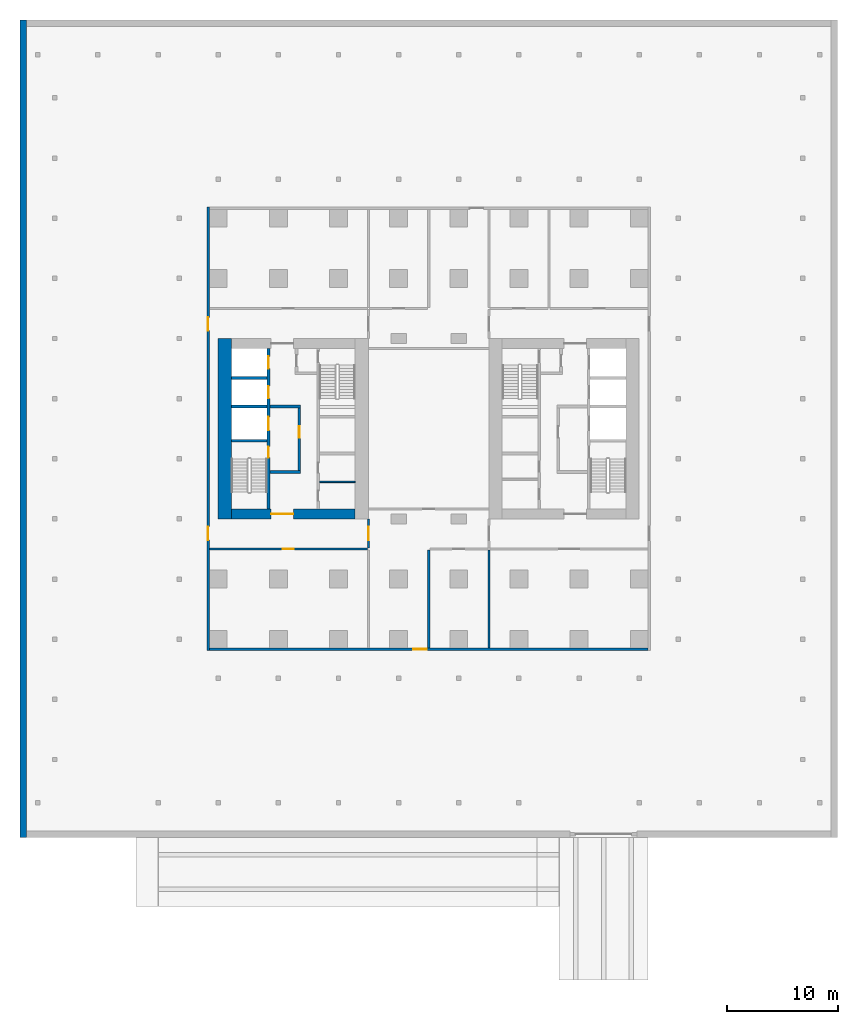
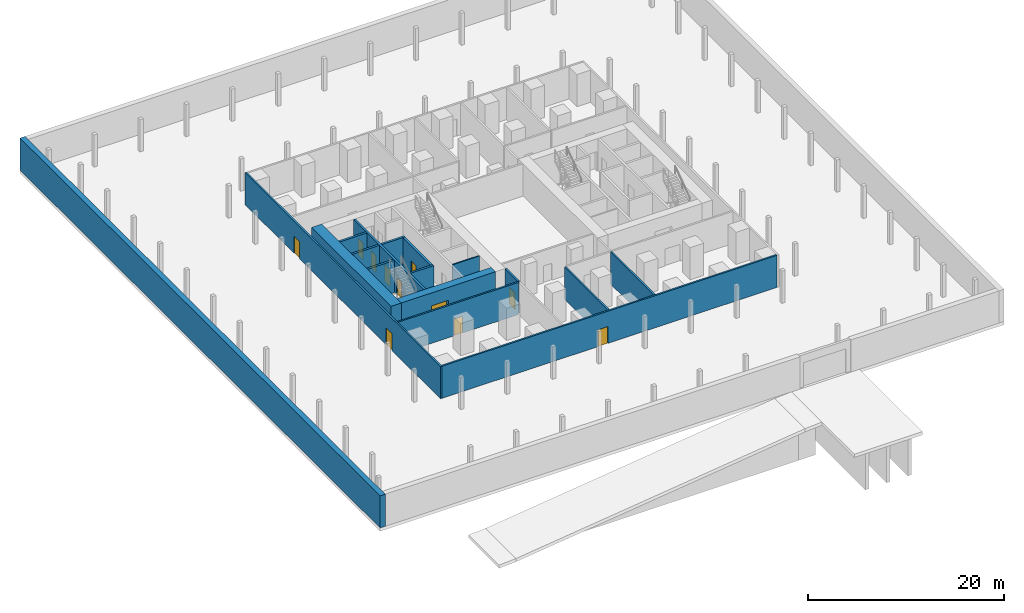
# One storey, part 2 of 6: 17 walls, 11 doors, 11 openings.
"""IFC4 building model written with IfcOpenShell, lengths in metres."""

from ifc_helpers import new_model, si_unit, direction, frame, frame_2d, origin, place, context, subcontext, project, spatial, rectangle, extrude, material, layer, layer_set, type_object, element, fill, save


model = new_model("IFC4")

# Units and contexts
model_context = context("Model", 3, precision=1e-05, world=origin(), true_north=direction((0.0, 1.0)))
body_context = subcontext(model_context, "Body", "Model", "MODEL_VIEW")
ifc_project = project(units=[si_unit("LENGTHUNIT", "METRE"), si_unit("AREAUNIT", "SQUARE_METRE"), si_unit("VOLUMEUNIT", "CUBIC_METRE"), si_unit("PLANEANGLEUNIT", "RADIAN"), si_unit("MASSUNIT", "GRAM", prefix="KILO")], contexts=[model_context])

# Site, building, storey
site_placement = place(None, origin())
site = spatial("IfcSite", under=ifc_project, at=site_placement, CompositionType="ELEMENT")
building_placement = place(site_placement, origin())
building = spatial("IfcBuilding", under=site, at=building_placement, Name="Tabaq Tower and Sports Hall", CompositionType="ELEMENT")
storey_placement = place(building_placement, frame((0.0, 0.0, -4.5)))
storey = spatial("IfcBuildingStorey", under=building, at=storey_placement, Name="B01", CompositionType="ELEMENT", Elevation=-4.5)

# Wall, opening, door
ifc_material_1 = material(Name="Blockwork", Category="masonry")
ifc_layer_1 = layer(ifc_material_1, 0.199951171875)
ifc_layer_set_1 = layer_set([ifc_layer_1], Name="Blockwork Wall 200 EI 120")
wall_type_1 = type_object("IfcWallType", Name="Blockwork Wall 200 EI 120", PredefinedType="PARTITIONING", material=ifc_layer_set_1)
wall_1_placement = place(storey_placement, frame((4.60009765625, 4.5, 0.0), z_axis=(0.0, 0.0, 1.0), x_axis=(1.0, 0.0, 0.0)))
wall_1 = element("IfcWall", 1, at=wall_1_placement, inside=storey, type_object=wall_type_1, Name="Wall B01-01", PredefinedType="PARTITIONING", context=body_context, shape_type="SweptSolid", body=[
    extrude(rectangle(XDim=39.39990234375, YDim=0.199951171875, at=frame_2d((19.699951171875, 0.0))), origin(), (0.0, 0.0, 1.0), 4.0),
])
opening_1_placement = place(wall_1_placement, frame((18.300048828125, 0.0, 0.0)))
opening_1 = element("IfcOpeningElement", 2, at=opening_1_placement, cuts=wall_1, Name="Opening B01-01", PredefinedType="OPENING", context=body_context, shape_type="SweptSolid", body=[
    extrude(rectangle(XDim=1.199951171875, YDim=2.10009765625, at=frame_2d((0.60009765625, 1.050048828125))), frame((0.0, 0.10986328125, 0.0), z_axis=(0.0, -1.0, 0.0), x_axis=(1.0, 0.0, 0.0)), (0.0, 0.0, 1.0), 0.219970703125),
])
ifc_material_2 = material(Name="Hollow metal fire door")
door_type_1 = type_object("IfcDoorType", Name="Basement Door 1200 FD120S", OperationType="SINGLE_SWING_LEFT", PredefinedType="DOOR", material=ifc_material_2)
door_1_placement = place(opening_1_placement, origin())
door_1 = element("IfcDoor", 3, at=door_1_placement, inside=storey, type_object=door_type_1, Name="Door B01-01", OperationType="SINGLE_SWING_LEFT", OverallHeight=2.10009765625, OverallWidth=1.199951171875, PredefinedType="DOOR", context=body_context, shape_type="SweptSolid", body=[
    extrude(rectangle(XDim=1.199951171875, YDim=2.10009765625, at=frame_2d((0.60009765625, 1.050048828125))), frame((0.0, 0.02490234375, 0.0), z_axis=(0.0, -1.0, 0.0), x_axis=(1.0, 0.0, 0.0)), (0.0, 0.0, 1.0), 0.050048828125),
])
fill(opening_1, door_1)

# Wall, openings, doors
wall_2_placement = place(storey_placement, frame((4.5, 4.39990234375, 0.0), z_axis=(0.0, 0.0, 1.0), x_axis=(0.0, 1.0, 0.0)))
wall_2 = element("IfcWall", 4, at=wall_2_placement, inside=storey, type_object=wall_type_1, Name="Wall B01-03", PredefinedType="PARTITIONING", context=body_context, shape_type="SweptSolid", body=[
    extrude(rectangle(XDim=39.800048828125, YDim=0.199951171875, at=frame_2d((19.89990234375, 0.0))), origin(), (0.0, 0.0, 1.0), 4.0),
])
opening_2_placement = place(wall_2_placement, frame((9.89990234375, 0.0, 0.0)))
opening_2 = element("IfcOpeningElement", 5, at=opening_2_placement, cuts=wall_2, Name="Opening B01-03", PredefinedType="OPENING", context=body_context, shape_type="SweptSolid", body=[
    extrude(rectangle(XDim=1.199951171875, YDim=2.10009765625, at=frame_2d((0.60009765625, 1.050048828125))), frame((0.0, 0.10986328125, 0.0), z_axis=(0.0, -1.0, 0.0), x_axis=(1.0, 0.0, 0.0)), (0.0, 0.0, 1.0), 0.219970703125),
])
opening_3_placement = place(wall_2_placement, frame((28.699951171875, 0.0, 0.0)))
opening_3 = element("IfcOpeningElement", 6, at=opening_3_placement, cuts=wall_2, Name="Opening B01-04", PredefinedType="OPENING", context=body_context, shape_type="SweptSolid", body=[
    extrude(rectangle(XDim=1.199951171875, YDim=2.10009765625, at=frame_2d((0.60009765625, 1.050048828125))), frame((0.0, 0.10986328125, 0.0), z_axis=(0.0, -1.0, 0.0), x_axis=(1.0, 0.0, 0.0)), (0.0, 0.0, 1.0), 0.219970703125),
])
door_2_placement = place(opening_2_placement, origin())
door_2 = element("IfcDoor", 7, at=door_2_placement, inside=storey, type_object=door_type_1, Name="Door B01-03", OperationType="SINGLE_SWING_LEFT", OverallHeight=2.10009765625, OverallWidth=1.199951171875, PredefinedType="DOOR", context=body_context, shape_type="SweptSolid", body=[
    extrude(rectangle(XDim=1.199951171875, YDim=2.10009765625, at=frame_2d((0.60009765625, 1.050048828125))), frame((0.0, 0.02490234375, 0.0), z_axis=(0.0, -1.0, 0.0), x_axis=(1.0, 0.0, 0.0)), (0.0, 0.0, 1.0), 0.050048828125),
])
fill(opening_2, door_2)
door_3_placement = place(opening_3_placement, origin())
door_3 = element("IfcDoor", 8, at=door_3_placement, inside=storey, type_object=door_type_1, Name="Door B01-04", OperationType="SINGLE_SWING_LEFT", OverallHeight=2.10009765625, OverallWidth=1.199951171875, PredefinedType="DOOR", context=body_context, shape_type="SweptSolid", body=[
    extrude(rectangle(XDim=1.199951171875, YDim=2.10009765625, at=frame_2d((0.60009765625, 1.050048828125))), frame((0.0, 0.02490234375, 0.0), z_axis=(0.0, -1.0, 0.0), x_axis=(1.0, 0.0, 0.0)), (0.0, 0.0, 1.0), 0.050048828125),
])
fill(opening_3, door_3)

# Walls
ifc_material_3 = material(Name="Blockwork", Category="masonry")
ifc_layer_2 = layer(ifc_material_3, 0.199951171875)
ifc_layer_set_2 = layer_set([ifc_layer_2], Name="Blockwork Wall 200 EI 60")
wall_type_2 = type_object("IfcWallType", Name="Blockwork Wall 200 EI 60", PredefinedType="PARTITIONING", material=ifc_layer_set_2)
for number, where, z_axis, x_axis, name in (
    (9, (24.300048828125, 4.60009765625, 0.0), (0.0, 0.0, 1.0), (0.0, 1.0, 0.0), "Wall B01-06"),
    (10, (29.699951171875, 4.60009765625, 0.0), (0.0, 0.0, 1.0), (0.0, 1.0, 0.0), "Wall B01-07"),
):
    element("IfcWall", number, at=place(storey_placement, frame(where, z_axis=z_axis, x_axis=x_axis)), inside=storey, type_object=wall_type_2, Name=name, PredefinedType="PARTITIONING", context=body_context, shape_type="SweptSolid", body=[
        extrude(rectangle(XDim=8.7998046875, YDim=0.199951171875, at=frame_2d((4.39990234375, 0.0))), origin(), (0.0, 0.0, 1.0), 4.0),
    ])

# Wall, opening, door
wall_3_placement = place(storey_placement, frame((4.60009765625, 13.5, 0.0), z_axis=(0.0, 0.0, 1.0), x_axis=(1.0, 0.0, 0.0)))
wall_3 = element("IfcWall", 11, at=wall_3_placement, inside=storey, type_object=wall_type_2, Name="Wall B01-12", PredefinedType="PARTITIONING", context=body_context, shape_type="SweptSolid", body=[
    extrude(rectangle(XDim=14.199951171875, YDim=0.199951171875, at=frame_2d((7.10009765625, 0.0))), origin(), (0.0, 0.0, 1.0), 4.0),
])
opening_4_placement = place(wall_3_placement, frame((6.60009765625, 0.0, 0.0)))
opening_4 = element("IfcOpeningElement", 12, at=opening_4_placement, cuts=wall_3, Name="Opening B01-07", PredefinedType="OPENING", context=body_context, shape_type="SweptSolid", body=[
    extrude(rectangle(XDim=1.0, YDim=2.10009765625, at=frame_2d((0.5, 1.050048828125))), frame((0.0, 0.10986328125, 0.0), z_axis=(0.0, -1.0, 0.0), x_axis=(1.0, 0.0, 0.0)), (0.0, 0.0, 1.0), 0.219970703125),
])
ifc_material_4 = material(Name="Hollow metal fire door")
door_type_2 = type_object("IfcDoorType", Name="Basement Door 1000 FD60S", OperationType="SINGLE_SWING_LEFT", PredefinedType="DOOR", material=ifc_material_4)
door_4_placement = place(opening_4_placement, origin())
door_4 = element("IfcDoor", 13, at=door_4_placement, inside=storey, type_object=door_type_2, Name="Door B01-07", OperationType="SINGLE_SWING_LEFT", OverallHeight=2.10009765625, OverallWidth=1.0, PredefinedType="DOOR", context=body_context, shape_type="SweptSolid", body=[
    extrude(rectangle(XDim=1.0, YDim=2.10009765625, at=frame_2d((0.5, 1.050048828125))), frame((0.0, 0.02490234375, 0.0), z_axis=(0.0, -1.0, 0.0), x_axis=(1.0, 0.0, 0.0)), (0.0, 0.0, 1.0), 0.050048828125),
])
fill(opening_4, door_4)

wall_4_placement = place(storey_placement, frame((18.89990234375, 13.60009765625, 0.0), z_axis=(0.0, 0.0, 1.0), x_axis=(0.0, 1.0, 0.0)))
wall_4 = element("IfcWall", 14, at=wall_4_placement, inside=storey, type_object=wall_type_2, Name="Wall B01-19", PredefinedType="PARTITIONING", context=body_context, shape_type="SweptSolid", body=[
    extrude(rectangle(XDim=2.599853515625, YDim=0.199951171875, at=frame_2d((1.2998046875, 0.0))), origin(), (0.0, 0.0, 1.0), 4.0),
])
opening_5_placement = place(wall_4_placement, frame((0.699951171875, 0.0, 0.0)))
opening_5 = element("IfcOpeningElement", 15, at=opening_5_placement, cuts=wall_4, Name="Opening B01-14", PredefinedType="OPENING", context=body_context, shape_type="SweptSolid", body=[
    extrude(rectangle(XDim=1.199951171875, YDim=2.10009765625, at=frame_2d((0.60009765625, 1.050048828125))), frame((0.0, 0.10986328125, 0.0), z_axis=(0.0, -1.0, 0.0), x_axis=(1.0, 0.0, 0.0)), (0.0, 0.0, 1.0), 0.219970703125),
])
ifc_material_5 = material(Name="Hollow metal fire door")
door_type_3 = type_object("IfcDoorType", Name="Basement Door 1200 FD60S", OperationType="SINGLE_SWING_LEFT", PredefinedType="DOOR", material=ifc_material_5)
door_5_placement = place(opening_5_placement, origin())
door_5 = element("IfcDoor", 16, at=door_5_placement, inside=storey, type_object=door_type_3, Name="Door B01-14", OperationType="SINGLE_SWING_LEFT", OverallHeight=2.10009765625, OverallWidth=1.199951171875, PredefinedType="DOOR", context=body_context, shape_type="SweptSolid", body=[
    extrude(rectangle(XDim=1.199951171875, YDim=2.10009765625, at=frame_2d((0.60009765625, 1.050048828125))), frame((0.0, 0.02490234375, 0.0), z_axis=(0.0, -1.0, 0.0), x_axis=(1.0, 0.0, 0.0)), (0.0, 0.0, 1.0), 0.050048828125),
])
fill(opening_5, door_5)

# Walls
ifc_material_6 = material(Name="Blockwork", Category="masonry")
ifc_layer_3 = layer(ifc_material_6, 0.14990234375)
ifc_layer_set_3 = layer_set([ifc_layer_3], Name="Core room partition 150 Blockwork")
wall_type_3 = type_object("IfcWallType", Name="Core room partition 150 Blockwork", PredefinedType="PARTITIONING", material=ifc_layer_set_3)
wall_5_placement = place(storey_placement, frame((14.5, 19.52490234375, 0.0), z_axis=(0.0, 0.0, 1.0), x_axis=(1.0, 0.0, 0.0)))
element("IfcWall", 17, at=wall_5_placement, inside=storey, type_object=wall_type_3, Name="Core room partition W B01", PredefinedType="PARTITIONING", context=body_context, shape_type="SweptSolid", body=[
    extrude(rectangle(XDim=3.199951171875, YDim=0.14990234375, at=frame_2d((1.60009765625, 0.0))), origin(), (0.0, 0.0, 1.0), 4.0),
])
ifc_material_7 = material(Name="Concrete C60/75", Category="concrete")
ifc_layer_4 = layer(ifc_material_7, 1.199951171875)
ifc_layer_set_4 = layer_set([ifc_layer_4], Name="Core wall 1200 Concrete C60/75")
wall_type_4 = type_object("IfcWallType", Name="Core wall 1200 Concrete C60/75", PredefinedType="SOLIDWALL", material=ifc_layer_set_4)
wall_6_placement = place(storey_placement, frame((6.0, 16.199951171875, 0.0), z_axis=(0.0, 0.0, 1.0), x_axis=(0.0, 1.0, 0.0)))
element("IfcWall", 18, at=wall_6_placement, inside=storey, type_object=wall_type_4, Name="Core wall W B01", PredefinedType="SOLIDWALL", context=body_context, shape_type="SweptSolid", body=[
    extrude(rectangle(XDim=16.199951171875, YDim=1.199951171875, at=frame_2d((8.10009765625, 0.0))), origin(), (0.0, 0.0, 1.0), 4.0),
])

# Wall, opening, door
ifc_material_8 = material(Name="Concrete C60/75", Category="concrete")
ifc_layer_5 = layer(ifc_material_8, 0.89990234375)
ifc_layer_set_5 = layer_set([ifc_layer_5], Name="Core wall 900 Concrete C60/75")
wall_type_5 = type_object("IfcWallType", Name="Core wall 900 Concrete C60/75", PredefinedType="SOLIDWALL", material=ifc_layer_set_5)
wall_7_placement = place(storey_placement, frame((17.699951171875, 16.64990234375, 0.0), z_axis=(0.0, 0.0, 1.0), x_axis=(-1.0, 0.0, 0.0)))
wall_7 = element("IfcWall", 19, at=wall_7_placement, inside=storey, type_object=wall_type_5, Name="Core wall W B01", PredefinedType="SOLIDWALL", context=body_context, shape_type="SweptSolid", body=[
    extrude(rectangle(XDim=11.099853515625, YDim=0.89990234375, at=frame_2d((5.5498046875, 0.0))), origin(), (0.0, 0.0, 1.0), 4.0),
])
opening_6_placement = place(wall_7_placement, frame((5.550048828125, 0.0, 0.0)))
opening_6 = element("IfcOpeningElement", 20, at=opening_6_placement, cuts=wall_7, Name="Opening PD-WB01-01", PredefinedType="OPENING", context=body_context, shape_type="SweptSolid", body=[
    extrude(rectangle(XDim=2.0, YDim=2.39990234375, at=frame_2d((1.0, 1.199951171875))), frame((0.0, 0.449951171875, 0.0), z_axis=(0.0, -1.0, 0.0), x_axis=(1.0, 0.0, 0.0)), (0.0, 0.0, 1.0), 0.89990234375),
])
ifc_material_9 = material(Name="Steel fire door", Category="steel")
door_type_4 = type_object("IfcDoorType", Name="Core entrance door 2000", OperationType="DOUBLE_DOOR_SINGLE_SWING", PredefinedType="DOOR", material=ifc_material_9)
door_6_placement = place(opening_6_placement, origin())
door_6 = element("IfcDoor", 21, at=door_6_placement, inside=storey, type_object=door_type_4, Name="Core entrance south W B01", OperationType="DOUBLE_DOOR_SINGLE_SWING", OverallHeight=2.39990234375, OverallWidth=2.0, PredefinedType="DOOR", context=body_context, shape_type="SweptSolid", body=[
    extrude(rectangle(XDim=2.0, YDim=2.39990234375, at=frame_2d((1.0, 1.199951171875))), frame((0.0, 0.02490234375, 0.0), z_axis=(0.0, -1.0, 0.0), x_axis=(1.0, 0.0, 0.0)), (0.0, 0.0, 1.0), 0.050048828125),
])
fill(opening_6, door_6)

# Wall
ifc_material_10 = material(Name="Concrete C60/75", Category="concrete")
ifc_layer_6 = layer(ifc_material_10, 0.60009765625)
ifc_layer_set_6 = layer_set([ifc_layer_6], Name="RC RETAINING WALL 600 C60/75")
wall_type_6 = type_object("IfcWallType", Name="RC RETAINING WALL 600 C60/75", PredefinedType="SOLIDWALL", material=ifc_layer_set_6)
wall_8_placement = place(storey_placement, frame((-12.10009765625, -12.39990234375, 0.0), z_axis=(0.0, 0.0, 1.0), x_axis=(0.0, 1.0, 0.0)))
element("IfcWall", 22, at=wall_8_placement, inside=storey, type_object=wall_type_6, Name="Retaining Wall West B01", PredefinedType="SOLIDWALL", context=body_context, shape_type="SweptSolid", body=[
    extrude(rectangle(XDim=73.39990234375, YDim=0.60009765625, at=frame_2d((36.699951171875, 0.0))), origin(), (0.0, 0.0, 1.0), 4.0),
])

# Wall, openings, doors
ifc_material_11 = material(Name="Concrete C40/50", Category="concrete")
ifc_layer_7 = layer(ifc_material_11, 0.25)
ifc_layer_set_7 = layer_set([ifc_layer_7], Name="Shaft and stair wall 250 Concrete C40/50")
wall_type_7 = type_object("IfcWallType", Name="Shaft and stair wall 250 Concrete C40/50", PredefinedType="SOLIDWALL", material=ifc_layer_set_7)
wall_9_placement = place(storey_placement, frame((9.925048828125, 17.10009765625, 0.0), z_axis=(0.0, 0.0, 1.0), x_axis=(0.0, 1.0, 0.0)))
wall_9 = element("IfcWall", 23, at=wall_9_placement, inside=storey, type_object=wall_type_7, Name="Shaft wall W B01", PredefinedType="SOLIDWALL", context=body_context, shape_type="SweptSolid", body=[
    extrude(rectangle(XDim=14.39990234375, YDim=0.25, at=frame_2d((7.199951171875, 0.0))), origin(), (0.0, 0.0, 1.0), 4.0),
])
opening_7_placement = place(wall_9_placement, frame((4.60009765625, 0.0, 0.0)))
opening_7 = element("IfcOpeningElement", 24, at=opening_7_placement, cuts=wall_9, Name="Opening SD-WB01-03", PredefinedType="OPENING", context=body_context, shape_type="SweptSolid", body=[
    extrude(rectangle(XDim=1.0, YDim=2.10009765625, at=frame_2d((0.5, 1.050048828125))), frame((0.0, 0.125, 0.0), z_axis=(0.0, -1.0, 0.0), x_axis=(1.0, 0.0, 0.0)), (0.0, 0.0, 1.0), 0.25),
])
opening_8_placement = place(wall_9_placement, frame((7.0625, 0.0, 0.0)))
opening_8 = element("IfcOpeningElement", 25, at=opening_8_placement, cuts=wall_9, Name="Opening LD-FF1-B01", PredefinedType="OPENING", context=body_context, shape_type="SweptSolid", body=[
    extrude(rectangle(XDim=1.199951171875, YDim=2.10009765625, at=frame_2d((0.60009765625, 1.050048828125))), frame((0.0, 0.125, 0.0), z_axis=(0.0, -1.0, 0.0), x_axis=(1.0, 0.0, 0.0)), (0.0, 0.0, 1.0), 0.25),
])
opening_9_placement = place(wall_9_placement, frame((9.925048828125, 0.0, 0.0)))
opening_9 = element("IfcOpeningElement", 26, at=opening_9_placement, cuts=wall_9, Name="Opening LD-LR1-B01", PredefinedType="OPENING", context=body_context, shape_type="SweptSolid", body=[
    extrude(rectangle(XDim=1.10009765625, YDim=2.10009765625, at=frame_2d((0.550048828125, 1.050048828125))), frame((0.0, 0.125, 0.0), z_axis=(0.0, -1.0, 0.0), x_axis=(1.0, 0.0, 0.0)), (0.0, 0.0, 1.0), 0.25),
])
opening_10_placement = place(wall_9_placement, frame((12.58740234375, 0.0, 0.0)))
opening_10 = element("IfcOpeningElement", 27, at=opening_10_placement, cuts=wall_9, Name="Opening LD-LR2-B01", PredefinedType="OPENING", context=body_context, shape_type="SweptSolid", body=[
    extrude(rectangle(XDim=1.10009765625, YDim=2.10009765625, at=frame_2d((0.550048828125, 1.050048828125))), frame((0.0, 0.125, 0.0), z_axis=(0.0, -1.0, 0.0), x_axis=(1.0, 0.0, 0.0)), (0.0, 0.0, 1.0), 0.25),
])
ifc_material_12 = material(Name="Stainless steel", Category="steel")
door_type_5 = type_object("IfcDoorType", Name="Lift landing door 1100", OperationType="DOUBLE_DOOR_SLIDING", PredefinedType="DOOR", material=ifc_material_12)
door_7_placement = place(opening_9_placement, origin())
door_7 = element("IfcDoor", 28, at=door_7_placement, inside=storey, type_object=door_type_5, Name="Lift landing door LR1 W B01", OperationType="DOUBLE_DOOR_SLIDING", OverallHeight=2.10009765625, OverallWidth=1.10009765625, PredefinedType="DOOR", context=body_context, shape_type="SweptSolid", body=[
    extrude(rectangle(XDim=1.10009765625, YDim=2.10009765625, at=frame_2d((0.550048828125, 1.050048828125))), frame((0.0, 0.02490234375, 0.0), z_axis=(0.0, -1.0, 0.0), x_axis=(1.0, 0.0, 0.0)), (0.0, 0.0, 1.0), 0.050048828125),
])
fill(opening_9, door_7)
door_8_placement = place(opening_10_placement, origin())
door_8 = element("IfcDoor", 29, at=door_8_placement, inside=storey, type_object=door_type_5, Name="Lift landing door LR2 W B01", OperationType="DOUBLE_DOOR_SLIDING", OverallHeight=2.10009765625, OverallWidth=1.10009765625, PredefinedType="DOOR", context=body_context, shape_type="SweptSolid", body=[
    extrude(rectangle(XDim=1.10009765625, YDim=2.10009765625, at=frame_2d((0.550048828125, 1.050048828125))), frame((0.0, 0.02490234375, 0.0), z_axis=(0.0, -1.0, 0.0), x_axis=(1.0, 0.0, 0.0)), (0.0, 0.0, 1.0), 0.050048828125),
])
fill(opening_10, door_8)
ifc_material_13 = material(Name="Stainless steel", Category="steel")
door_type_6 = type_object("IfcDoorType", Name="Lift landing door 1200", OperationType="DOUBLE_DOOR_SLIDING", PredefinedType="DOOR", material=ifc_material_13)
door_9_placement = place(opening_8_placement, origin())
door_9 = element("IfcDoor", 30, at=door_9_placement, inside=storey, type_object=door_type_6, Name="Lift landing door FF1 W B01", OperationType="DOUBLE_DOOR_SLIDING", OverallHeight=2.10009765625, OverallWidth=1.199951171875, PredefinedType="DOOR", context=body_context, shape_type="SweptSolid", body=[
    extrude(rectangle(XDim=1.199951171875, YDim=2.10009765625, at=frame_2d((0.60009765625, 1.050048828125))), frame((0.0, 0.02490234375, 0.0), z_axis=(0.0, -1.0, 0.0), x_axis=(1.0, 0.0, 0.0)), (0.0, 0.0, 1.0), 0.050048828125),
])
fill(opening_8, door_9)
ifc_material_14 = material(Name="Steel fire door", Category="steel")
door_type_7 = type_object("IfcDoorType", Name="Stair door 1000", OperationType="SINGLE_SWING_LEFT", PredefinedType="DOOR", material=ifc_material_14)
door_10_placement = place(opening_7_placement, origin())
door_10 = element("IfcDoor", 31, at=door_10_placement, inside=storey, type_object=door_type_7, Name="Stair door ST1 W B01", OperationType="SINGLE_SWING_LEFT", OverallHeight=2.10009765625, OverallWidth=1.0, PredefinedType="DOOR", context=body_context, shape_type="SweptSolid", body=[
    extrude(rectangle(XDim=1.0, YDim=2.10009765625, at=frame_2d((0.5, 1.050048828125))), frame((0.0, 0.02490234375, 0.0), z_axis=(0.0, -1.0, 0.0), x_axis=(1.0, 0.0, 0.0)), (0.0, 0.0, 1.0), 0.050048828125),
])
fill(opening_7, door_10)

# Walls
for number, where, z_axis, x_axis, name in (
    (32, (6.60009765625, 23.22509765625, 0.0), (0.0, 0.0, 1.0), (1.0, 0.0, 0.0), "Stair enclosure wall W B01"),
    (33, (6.60009765625, 26.300048828125, 0.0), (0.0, 0.0, 1.0), (1.0, 0.0, 0.0), "Shaft wall W B01"),
):
    element("IfcWall", number, at=place(storey_placement, frame(where, z_axis=z_axis, x_axis=x_axis)), inside=storey, type_object=wall_type_7, Name=name, PredefinedType="SOLIDWALL", context=body_context, shape_type="SweptSolid", body=[
        extrude(rectangle(XDim=3.199951171875, YDim=0.25, at=frame_2d((1.60009765625, 0.0))), origin(), (0.0, 0.0, 1.0), 4.0),
    ])
for number, where, z_axis, x_axis, name in (
    (34, (10.050048828125, 26.300048828125, 0.0), (0.0, 0.0, 1.0), (1.0, 0.0, 0.0), "Fire-fighting lobby wall W B01"),
    (35, (10.050048828125, 20.425048828125, 0.0), (0.0, 0.0, 1.0), (1.0, 0.0, 0.0), "Fire-fighting lobby wall W B01"),
):
    element("IfcWall", number, at=place(storey_placement, frame(where, z_axis=z_axis, x_axis=x_axis)), inside=storey, type_object=wall_type_7, Name=name, PredefinedType="SOLIDWALL", context=body_context, shape_type="SweptSolid", body=[
        extrude(rectangle(XDim=2.75, YDim=0.25, at=frame_2d((1.375, 0.0))), origin(), (0.0, 0.0, 1.0), 4.0),
    ])

# Wall, opening, door
wall_10_placement = place(storey_placement, frame((12.675048828125, 20.550048828125, 0.0), z_axis=(0.0, 0.0, 1.0), x_axis=(0.0, 1.0, 0.0)))
wall_10 = element("IfcWall", 36, at=wall_10_placement, inside=storey, type_object=wall_type_7, Name="Fire-fighting lobby wall W B01", PredefinedType="SOLIDWALL", context=body_context, shape_type="SweptSolid", body=[
    extrude(rectangle(XDim=5.625, YDim=0.25, at=frame_2d((2.8125, 0.0))), origin(), (0.0, 0.0, 1.0), 4.0),
])
opening_11_placement = place(wall_10_placement, frame((2.949951171875, 0.0, 0.0)))
opening_11 = element("IfcOpeningElement", 37, at=opening_11_placement, cuts=wall_10, Name="Opening FD-WB01-04", PredefinedType="OPENING", context=body_context, shape_type="SweptSolid", body=[
    extrude(rectangle(XDim=1.0, YDim=2.10009765625, at=frame_2d((0.5, 1.050048828125))), frame((0.0, 0.125, 0.0), z_axis=(0.0, -1.0, 0.0), x_axis=(1.0, 0.0, 0.0)), (0.0, 0.0, 1.0), 0.25),
])
ifc_material_15 = material(Name="Steel fire door", Category="steel")
door_type_8 = type_object("IfcDoorType", Name="Fire-fighting lobby door 1000", OperationType="SINGLE_SWING_LEFT", PredefinedType="DOOR", material=ifc_material_15)
door_11_placement = place(opening_11_placement, origin())
door_11 = element("IfcDoor", 38, at=door_11_placement, inside=storey, type_object=door_type_8, Name="Fire-fighting lobby door W B01", OperationType="SINGLE_SWING_LEFT", OverallHeight=2.10009765625, OverallWidth=1.0, PredefinedType="DOOR", context=body_context, shape_type="SweptSolid", body=[
    extrude(rectangle(XDim=1.0, YDim=2.10009765625, at=frame_2d((0.5, 1.050048828125))), frame((0.0, 0.02490234375, 0.0), z_axis=(0.0, -1.0, 0.0), x_axis=(1.0, 0.0, 0.0)), (0.0, 0.0, 1.0), 0.050048828125),
])
fill(opening_11, door_11)

# Wall
wall_11_placement = place(storey_placement, frame((6.60009765625, 28.85009765625, 0.0), z_axis=(0.0, 0.0, 1.0), x_axis=(1.0, 0.0, 0.0)))
element("IfcWall", 39, at=wall_11_placement, inside=storey, type_object=wall_type_7, Name="Shaft wall W B01", PredefinedType="SOLIDWALL", context=body_context, shape_type="SweptSolid", body=[
    extrude(rectangle(XDim=3.199951171875, YDim=0.25, at=frame_2d((1.60009765625, 0.0))), origin(), (0.0, 0.0, 1.0), 4.0),
])

save(model, "model.ifc")
